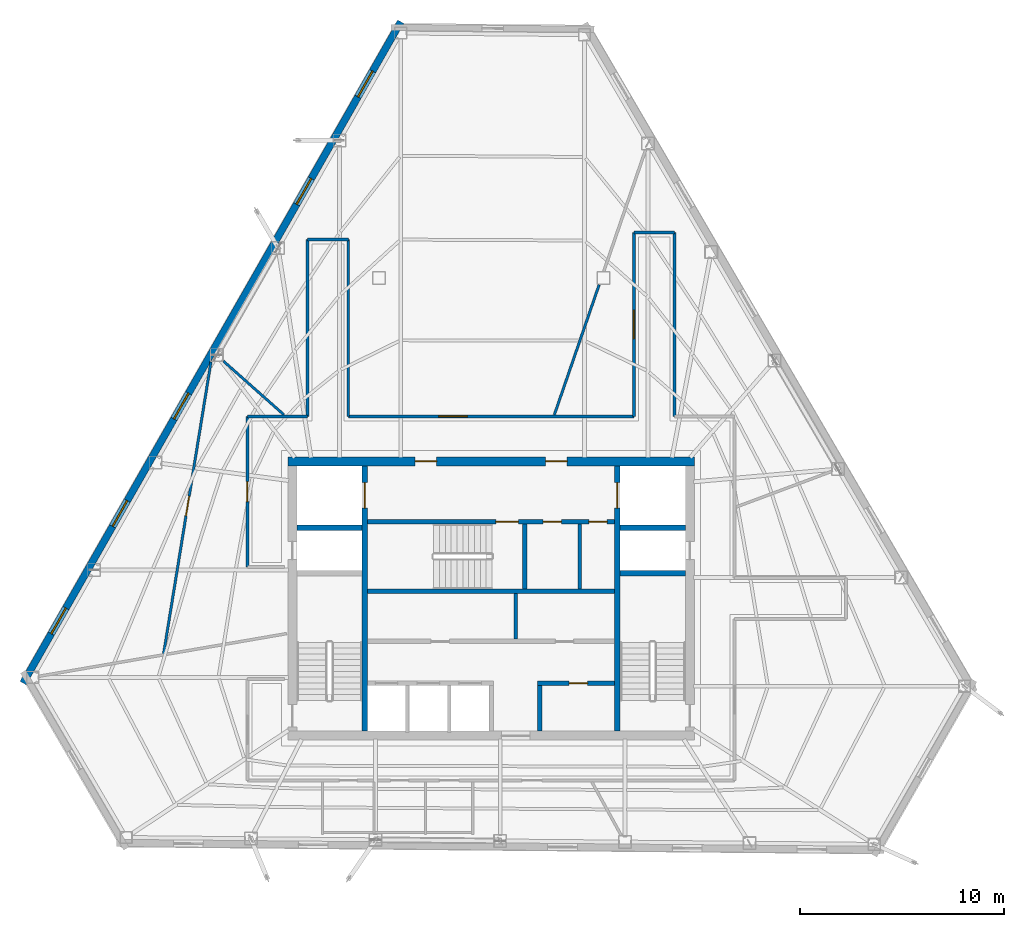
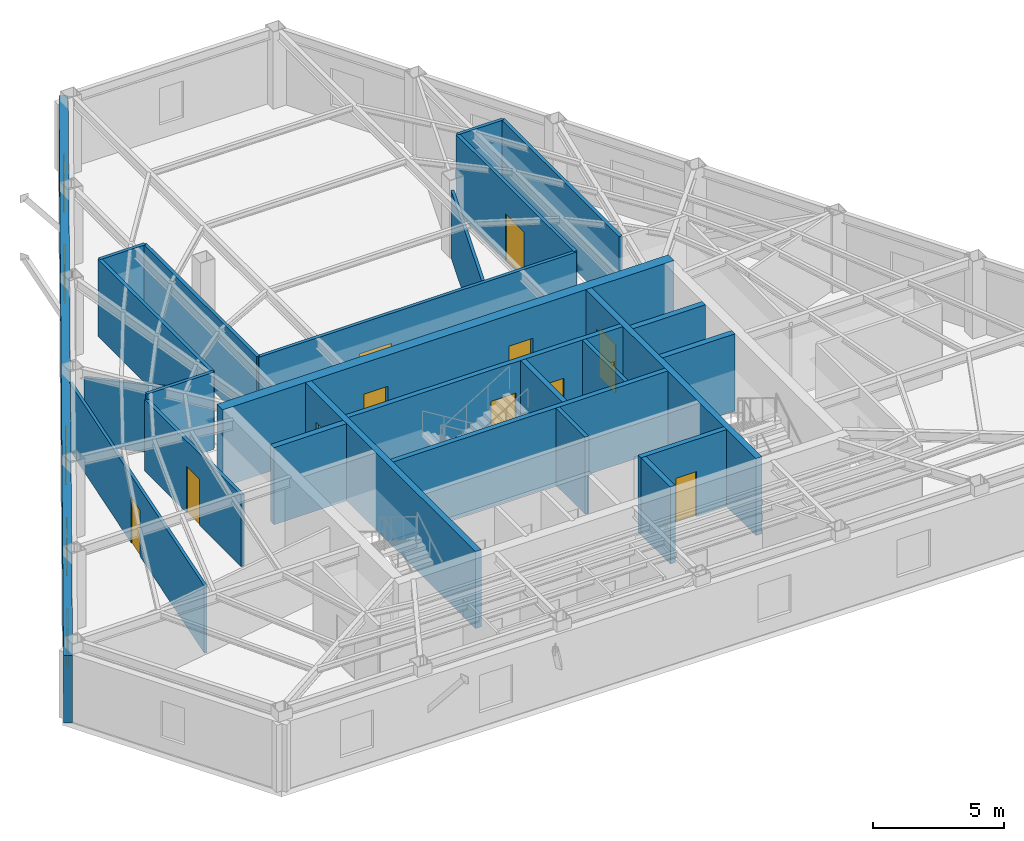
# One storey, part 8 of 10: 26 walls, 12 doors, 5 windows, 17 openings.
"""IFC4 building model written with IfcOpenShell, lengths in metres."""

from ifc_helpers import new_model, si_unit, direction, frame, frame_2d, origin, place, context, subcontext, project, spatial, rectangle, extrude, material, layer, layer_set, type_object, element, fill, save


model = new_model("IFC4")

# Units and contexts
model_context = context("Model", 3, precision=1e-05, world=origin(), true_north=direction((0.0, 1.0)))
body_context = subcontext(model_context, "Body", "Model", "MODEL_VIEW")
ifc_project = project(units=[si_unit("LENGTHUNIT", "METRE"), si_unit("AREAUNIT", "SQUARE_METRE"), si_unit("VOLUMEUNIT", "CUBIC_METRE"), si_unit("PLANEANGLEUNIT", "RADIAN"), si_unit("MASSUNIT", "GRAM", prefix="KILO")], contexts=[model_context])

# Site, building, storey
site_placement = place(None, origin())
site = spatial("IfcSite", under=ifc_project, at=site_placement, CompositionType="ELEMENT")
building_placement = place(site_placement, origin())
building = spatial("IfcBuilding", under=site, at=building_placement, Name="Kavelnor Concourse Tower", CompositionType="ELEMENT")
storey_placement = place(building_placement, frame((0.0, 0.0, 188.10009765625)))
storey = spatial("IfcBuildingStorey", under=building, at=storey_placement, Name="L47", CompositionType="ELEMENT", Elevation=188.10009765625)

# Wall, openings, doors
ifc_material_1 = material(Name="Concrete C50/60", Category="concrete")
ifc_layer_1 = layer(ifc_material_1, 0.43994140625, Name="Concrete C50/60")
ifc_layer_set_1 = layer_set([ifc_layer_1], Name="Concrete C50/60")
wall_type_1 = type_object("IfcWallType", Name="WL-CORE-Z3-440", PredefinedType="SOLIDWALL", material=ifc_layer_set_1)
wall_1_placement = place(storey_placement, frame((28.0400390625, 22.820068359375, 0.0), z_axis=(0.0, 0.0, 1.0), x_axis=(1.0, 0.0, 0.0)))
wall_1 = element("IfcWall", 1, at=wall_1_placement, inside=storey, type_object=wall_type_1, Name="L47 Central Core North Shear Wall", PredefinedType="SOLIDWALL", context=body_context, shape_type="SweptSolid", body=[
    extrude(rectangle(XDim=19.919921875, YDim=0.43994140625, at=frame_2d((9.9599609375, 0.0))), origin(), (0.0, 0.0, 1.0), 3.599853515625),
])
opening_1_placement = place(wall_1_placement, frame((6.235107421875, 0.0, 0.0)))
opening_1 = element("IfcOpeningElement", 2, at=opening_1_placement, cuts=wall_1, Name="Opening FD-105", PredefinedType="OPENING", context=body_context, shape_type="SweptSolid", body=[
    extrude(rectangle(XDim=1.050048828125, YDim=2.14990234375, at=frame_2d((0.52490234375, 1.074951171875))), frame((0.0, 0.22998046875, 0.0), z_axis=(0.0, -1.0, 0.0), x_axis=(1.0, 0.0, 0.0)), (0.0, 0.0, 1.0), 0.4599609375),
])
opening_2_placement = place(wall_1_placement, frame((12.635009765625, 0.0, 0.0)))
opening_2 = element("IfcOpeningElement", 3, at=opening_2_placement, cuts=wall_1, Name="Opening FD-105", PredefinedType="OPENING", context=body_context, shape_type="SweptSolid", body=[
    extrude(rectangle(XDim=1.050048828125, YDim=2.14990234375, at=frame_2d((0.52490234375, 1.074951171875))), frame((0.0, 0.22998046875, 0.0), z_axis=(0.0, -1.0, 0.0), x_axis=(1.0, 0.0, 0.0)), (0.0, 0.0, 1.0), 0.4599609375),
])
ifc_material_2 = material(Name="Steel Grade 350", Category="steel")
door_type_1 = type_object("IfcDoorType", Name="DR-LOBBY-FIRE-1050", OperationType="NOTDEFINED", PredefinedType="DOOR", material=ifc_material_2)
door_1_placement = place(opening_1_placement, origin())
door_1 = element("IfcDoor", 4, at=door_1_placement, inside=storey, type_object=door_type_1, Name="L47 Emergency Lift Lobby West Door", OperationType="SINGLE_SWING_LEFT", OverallHeight=2.14990234375, OverallWidth=1.050048828125, PredefinedType="DOOR", context=body_context, shape_type="SweptSolid", body=[
    extrude(rectangle(XDim=1.050048828125, YDim=2.14990234375, at=frame_2d((0.52490234375, 1.074951171875))), frame((0.0, 0.02490234375, 0.0), z_axis=(0.0, -1.0, 0.0), x_axis=(1.0, 0.0, 0.0)), (0.0, 0.0, 1.0), 0.050048828125),
])
fill(opening_1, door_1)
door_2_placement = place(opening_2_placement, origin())
door_2 = element("IfcDoor", 5, at=door_2_placement, inside=storey, type_object=door_type_1, Name="L47 Emergency Lift Lobby East Door", OperationType="SINGLE_SWING_RIGHT", OverallHeight=2.14990234375, OverallWidth=1.050048828125, PredefinedType="DOOR", context=body_context, shape_type="SweptSolid", body=[
    extrude(rectangle(XDim=1.050048828125, YDim=2.14990234375, at=frame_2d((0.52490234375, 1.074951171875))), frame((0.0, 0.02490234375, 0.0), z_axis=(0.0, -1.0, 0.0), x_axis=(1.0, 0.0, 0.0)), (0.0, 0.0, 1.0), 0.050048828125),
])
fill(opening_2, door_2)

# Wall, openings, windows
ifc_material_3 = material(Name="Red-ochre clay face brick masonry", Category="masonry")
ifc_layer_2 = layer(ifc_material_3, 0.35009765625, Name="Red-ochre clay face brick masonry")
ifc_layer_set_2 = layer_set([ifc_layer_2], Name="Red-ochre clay face brick masonry")
wall_type_2 = type_object("IfcWallType", Name="WL-EXT-RED-BRICK-PIER-350", PredefinedType="STANDARD", material=ifc_layer_set_2)
wall_2_placement = place(storey_placement, frame((15.064208984375, 11.95263671875, 0.0), z_axis=(0.0, 0.0, 1.0), x_axis=(0.495993114815, 0.86832645362, 0.0)))
wall_2 = element("IfcWall", 6, at=wall_2_placement, inside=storey, type_object=wall_type_2, Name="L47 Exterior Brick Facade Wall E1", PredefinedType="STANDARD", context=body_context, shape_type="SweptSolid", body=[
    extrude(rectangle(XDim=37.323974609375, YDim=0.35009765625, at=frame_2d((18.662109375, 0.0))), origin(), (0.0, 0.0, 1.0), 3.1318359375),
])
opening_3_placement = place(wall_2_placement, frame((33.0869140625, 0.0, 0.64990234375)))
opening_3 = element("IfcOpeningElement", 7, at=opening_3_placement, cuts=wall_2, Name="Opening W-03", PredefinedType="OPENING", context=body_context, shape_type="SweptSolid", body=[
    extrude(rectangle(XDim=1.449951171875, YDim=1.75, at=frame_2d((0.72509765625, 0.875))), frame((0.0, 0.18505859375, 0.0), z_axis=(0.0, -1.0, 0.0), x_axis=(1.0, 0.0, 0.0)), (0.0, 0.0, 1.0), 0.3701171875),
])
opening_4_placement = place(wall_2_placement, frame((27.026123046875, 0.0, 0.64990234375)))
opening_4 = element("IfcOpeningElement", 8, at=opening_4_placement, cuts=wall_2, Name="Opening W-03", PredefinedType="OPENING", context=body_context, shape_type="SweptSolid", body=[
    extrude(rectangle(XDim=1.449951171875, YDim=1.75, at=frame_2d((0.72509765625, 0.875))), frame((0.0, 0.18505859375, 0.0), z_axis=(0.0, -1.0, 0.0), x_axis=(1.0, 0.0, 0.0)), (0.0, 0.0, 1.0), 0.3701171875),
])
opening_5_placement = place(wall_2_placement, frame((14.904296875, 0.0, 0.64990234375)))
opening_5 = element("IfcOpeningElement", 9, at=opening_5_placement, cuts=wall_2, Name="Opening W-03", PredefinedType="OPENING", context=body_context, shape_type="SweptSolid", body=[
    extrude(rectangle(XDim=1.449951171875, YDim=1.75, at=frame_2d((0.72509765625, 0.875))), frame((0.0, 0.18505859375, 0.0), z_axis=(0.0, -1.0, 0.0), x_axis=(1.0, 0.0, 0.0)), (0.0, 0.0, 1.0), 0.3701171875),
])
opening_6_placement = place(wall_2_placement, frame((8.843505859375, 0.0, 0.64990234375)))
opening_6 = element("IfcOpeningElement", 10, at=opening_6_placement, cuts=wall_2, Name="Opening W-03", PredefinedType="OPENING", context=body_context, shape_type="SweptSolid", body=[
    extrude(rectangle(XDim=1.449951171875, YDim=1.75, at=frame_2d((0.72509765625, 0.875))), frame((0.0, 0.18505859375, 0.0), z_axis=(0.0, -1.0, 0.0), x_axis=(1.0, 0.0, 0.0)), (0.0, 0.0, 1.0), 0.3701171875),
])
opening_7_placement = place(wall_2_placement, frame((2.782470703125, 0.0, 0.64990234375)))
opening_7 = element("IfcOpeningElement", 11, at=opening_7_placement, cuts=wall_2, Name="Opening W-03", PredefinedType="OPENING", context=body_context, shape_type="SweptSolid", body=[
    extrude(rectangle(XDim=1.449951171875, YDim=1.75, at=frame_2d((0.72509765625, 0.875))), frame((0.0, 0.18505859375, 0.0), z_axis=(0.0, -1.0, 0.0), x_axis=(1.0, 0.0, 0.0)), (0.0, 0.0, 1.0), 0.3701171875),
])
ifc_material_4 = material(Name="Double low-E argon insulated glazing", Category="glass")
window_type = type_object("IfcWindowType", Name="WIN-PIER-Z3-1500", PartitioningType="SINGLE_PANEL", PredefinedType="WINDOW", material=ifc_material_4)
window_1_placement = place(opening_3_placement, origin())
window_1 = element("IfcWindow", 12, at=window_1_placement, inside=storey, type_object=window_type, Name="L47 Deep-Set Brick Pier Window F0-B0", OverallHeight=1.75, OverallWidth=1.449951171875, PartitioningType="SINGLE_PANEL", PredefinedType="WINDOW", context=body_context, shape_type="SweptSolid", body=[
    extrude(rectangle(XDim=1.449951171875, YDim=1.75, at=frame_2d((0.72509765625, 0.875))), frame((0.0, 0.030029296875, 0.0), z_axis=(0.0, -1.0, 0.0), x_axis=(1.0, 0.0, 0.0)), (0.0, 0.0, 1.0), 0.06005859375),
])
fill(opening_3, window_1)
window_2_placement = place(opening_4_placement, origin())
window_2 = element("IfcWindow", 13, at=window_2_placement, inside=storey, type_object=window_type, Name="L47 Deep-Set Brick Pier Window F0-B1", OverallHeight=1.75, OverallWidth=1.449951171875, PartitioningType="SINGLE_PANEL", PredefinedType="WINDOW", context=body_context, shape_type="SweptSolid", body=[
    extrude(rectangle(XDim=1.449951171875, YDim=1.75, at=frame_2d((0.72509765625, 0.875))), frame((0.0, 0.030029296875, 0.0), z_axis=(0.0, -1.0, 0.0), x_axis=(1.0, 0.0, 0.0)), (0.0, 0.0, 1.0), 0.06005859375),
])
fill(opening_4, window_2)
window_3_placement = place(opening_5_placement, origin())
window_3 = element("IfcWindow", 14, at=window_3_placement, inside=storey, type_object=window_type, Name="L47 Deep-Set Brick Pier Window F0-B3", OverallHeight=1.75, OverallWidth=1.449951171875, PartitioningType="SINGLE_PANEL", PredefinedType="WINDOW", context=body_context, shape_type="SweptSolid", body=[
    extrude(rectangle(XDim=1.449951171875, YDim=1.75, at=frame_2d((0.72509765625, 0.875))), frame((0.0, 0.030029296875, 0.0), z_axis=(0.0, -1.0, 0.0), x_axis=(1.0, 0.0, 0.0)), (0.0, 0.0, 1.0), 0.06005859375),
])
fill(opening_5, window_3)
window_4_placement = place(opening_6_placement, origin())
window_4 = element("IfcWindow", 15, at=window_4_placement, inside=storey, type_object=window_type, Name="L47 Deep-Set Brick Pier Window F0-B4", OverallHeight=1.75, OverallWidth=1.449951171875, PartitioningType="SINGLE_PANEL", PredefinedType="WINDOW", context=body_context, shape_type="SweptSolid", body=[
    extrude(rectangle(XDim=1.449951171875, YDim=1.75, at=frame_2d((0.72509765625, 0.875))), frame((0.0, 0.030029296875, 0.0), z_axis=(0.0, -1.0, 0.0), x_axis=(1.0, 0.0, 0.0)), (0.0, 0.0, 1.0), 0.06005859375),
])
fill(opening_6, window_4)
window_5_placement = place(opening_7_placement, origin())
window_5 = element("IfcWindow", 16, at=window_5_placement, inside=storey, type_object=window_type, Name="L47 Deep-Set Brick Pier Window F0-B5", OverallHeight=1.75, OverallWidth=1.449951171875, PartitioningType="SINGLE_PANEL", PredefinedType="WINDOW", context=body_context, shape_type="SweptSolid", body=[
    extrude(rectangle(XDim=1.449951171875, YDim=1.75, at=frame_2d((0.72509765625, 0.875))), frame((0.0, 0.030029296875, 0.0), z_axis=(0.0, -1.0, 0.0), x_axis=(1.0, 0.0, 0.0)), (0.0, 0.0, 1.0), 0.06005859375),
])
fill(opening_7, window_5)

# Wall, opening, door
ifc_material_5 = material(Name="Gypsum plasterboard on light-gauge steel studs", Category="steel")
ifc_layer_3 = layer(ifc_material_5, 0.14501953125, Name="Gypsum plasterboard on light-gauge steel studs")
ifc_layer_set_3 = layer_set([ifc_layer_3], Name="Gypsum plasterboard on light-gauge steel studs")
wall_type_3 = type_object("IfcWallType", Name="WL-INT-CORR-145", PredefinedType="PARTITIONING", material=ifc_layer_set_3)
wall_3_placement = place(storey_placement, frame((26.06005859375, 17.64990234375, 0.0), z_axis=(0.0, 0.0, 1.0), x_axis=(0.0, 1.0, 0.0)))
wall_3 = element("IfcWall", 17, at=wall_3_placement, inside=storey, type_object=wall_type_3, Name="L47 Corridor Wall WL-L47-CR-02", PredefinedType="PARTITIONING", context=body_context, shape_type="SweptSolid", body=[
    extrude(rectangle(XDim=7.3701171875, YDim=0.14501953125, at=frame_2d((3.68505859375, 0.0))), origin(), (0.0, 0.0, 1.0), 3.3388671875),
])
opening_8_placement = place(wall_3_placement, frame((3.195068359375, 0.0, 0.0)))
opening_8 = element("IfcOpeningElement", 18, at=opening_8_placement, cuts=wall_3, Name="Opening OD-098", PredefinedType="OPENING", context=body_context, shape_type="SweptSolid", body=[
    extrude(rectangle(XDim=0.97998046875, YDim=2.14990234375, at=frame_2d((0.489990234375, 1.074951171875))), frame((0.0, 0.08251953125, 0.0), z_axis=(0.0, -1.0, 0.0), x_axis=(1.0, 0.0, 0.0)), (0.0, 0.0, 1.0), 0.1650390625),
])
ifc_material_6 = material(Name="Solid-core hardwood timber", Category="wood")
door_type_2 = type_object("IfcDoorType", Name="DR-OFFICE-980", OperationType="NOTDEFINED", PredefinedType="DOOR", material=ifc_material_6)
door_3_placement = place(opening_8_placement, origin())
door_3 = element("IfcDoor", 19, at=door_3_placement, inside=storey, type_object=door_type_2, Name="L47 Executive Dining Room 03 Door", OperationType="SINGLE_SWING_LEFT", OverallHeight=2.14990234375, OverallWidth=0.97998046875, PredefinedType="DOOR", context=body_context, shape_type="SweptSolid", body=[
    extrude(rectangle(XDim=0.97998046875, YDim=2.14990234375, at=frame_2d((0.489990234375, 1.074951171875))), frame((0.0, 0.02490234375, 0.0), z_axis=(0.0, -1.0, 0.0), x_axis=(1.0, 0.0, 0.0)), (0.0, 0.0, 1.0), 0.050048828125),
])
fill(opening_8, door_3)

# Walls
wall_4_placement = place(storey_placement, frame((26.06005859375, 25.02001953125, 0.0), z_axis=(0.0, 0.0, 1.0), x_axis=(1.0, 0.0, 0.0)))
element("IfcWall", 20, at=wall_4_placement, inside=storey, type_object=wall_type_3, Name="L47 Corridor Wall WL-L47-CR-03", PredefinedType="PARTITIONING", context=body_context, shape_type="SweptSolid", body=[
    extrude(rectangle(XDim=2.93994140625, YDim=0.14501953125, at=frame_2d((1.469970703125, 0.0))), origin(), (0.0, 0.0, 1.0), 3.599853515625),
])
wall_5_placement = place(storey_placement, frame((29.0, 25.02001953125, 0.0), z_axis=(0.0, 0.0, 1.0), x_axis=(0.0, 1.0, 0.0)))
element("IfcWall", 21, at=wall_5_placement, inside=storey, type_object=wall_type_3, Name="L47 Corridor Wall WL-L47-CR-04", PredefinedType="PARTITIONING", context=body_context, shape_type="SweptSolid", body=[
    extrude(rectangle(XDim=8.661865234375, YDim=0.14501953125, at=frame_2d((4.3310546875, 0.0))), origin(), (0.0, 0.0, 1.0), 3.599853515625),
])
wall_6_placement = place(storey_placement, frame((29.0, 33.681884765625, 0.0), z_axis=(0.0, 0.0, 1.0), x_axis=(1.0, 0.0, 0.0)))
element("IfcWall", 22, at=wall_6_placement, inside=storey, type_object=wall_type_3, Name="L47 Corridor Wall WL-L47-CR-05", PredefinedType="PARTITIONING", context=body_context, shape_type="SweptSolid", body=[
    extrude(rectangle(XDim=2.0, YDim=0.14501953125, at=frame_2d((1.0, 0.0))), origin(), (0.0, 0.0, 1.0), 3.599853515625),
])
wall_7_placement = place(storey_placement, frame((31.0, 33.681884765625, 0.0), z_axis=(0.0, 0.0, 1.0), x_axis=(0.0, -1.0, 0.0)))
element("IfcWall", 23, at=wall_7_placement, inside=storey, type_object=wall_type_3, Name="L47 Corridor Wall WL-L47-CR-06", PredefinedType="PARTITIONING", context=body_context, shape_type="SweptSolid", body=[
    extrude(rectangle(XDim=8.661865234375, YDim=0.14501953125, at=frame_2d((4.3310546875, 0.0))), origin(), (0.0, 0.0, 1.0), 3.599853515625),
])

# Wall, opening, door
wall_8_placement = place(storey_placement, frame((31.0, 25.02001953125, 0.0), z_axis=(0.0, 0.0, 1.0), x_axis=(1.0, 0.0, 0.0)))
wall_8 = element("IfcWall", 24, at=wall_8_placement, inside=storey, type_object=wall_type_3, Name="L47 Corridor Wall WL-L47-CR-07", PredefinedType="PARTITIONING", context=body_context, shape_type="SweptSolid", body=[
    extrude(rectangle(XDim=14.0, YDim=0.14501953125, at=frame_2d((7.0, 0.0))), origin(), (0.0, 0.0, 1.0), 3.599853515625),
])
opening_9_placement = place(wall_8_placement, frame((4.434326171875, 0.0, 0.0)))
opening_9 = element("IfcOpeningElement", 25, at=opening_9_placement, cuts=wall_8, Name="Opening SD-140", PredefinedType="OPENING", context=body_context, shape_type="SweptSolid", body=[
    extrude(rectangle(XDim=1.39990234375, YDim=2.199951171875, at=frame_2d((0.699951171875, 1.10009765625))), frame((0.0, 0.08251953125, 0.0), z_axis=(0.0, -1.0, 0.0), x_axis=(1.0, 0.0, 0.0)), (0.0, 0.0, 1.0), 0.1650390625),
])
door_type_3 = type_object("IfcDoorType", Name="DR-SUITE-ENTRY-1400", OperationType="NOTDEFINED", PredefinedType="DOOR", material=ifc_material_6)
door_4_placement = place(opening_9_placement, origin())
door_4 = element("IfcDoor", 26, at=door_4_placement, inside=storey, type_object=door_type_3, Name="L47 Workplace Open Office 02 Door", OperationType="SINGLE_SWING_RIGHT", OverallHeight=2.199951171875, OverallWidth=1.39990234375, PredefinedType="DOOR", context=body_context, shape_type="SweptSolid", body=[
    extrude(rectangle(XDim=1.39990234375, YDim=2.199951171875, at=frame_2d((0.699951171875, 1.10009765625))), frame((0.0, 0.02490234375, 0.0), z_axis=(0.0, -1.0, 0.0), x_axis=(1.0, 0.0, 0.0)), (0.0, 0.0, 1.0), 0.050048828125),
])
fill(opening_9, door_4)

wall_9_placement = place(storey_placement, frame((45.0, 25.02001953125, 0.0), z_axis=(0.0, 0.0, 1.0), x_axis=(0.0, 1.0, 0.0)))
wall_9 = element("IfcWall", 27, at=wall_9_placement, inside=storey, type_object=wall_type_3, Name="L47 Corridor Wall WL-L47-CR-08", PredefinedType="PARTITIONING", context=body_context, shape_type="SweptSolid", body=[
    extrude(rectangle(XDim=9.0224609375, YDim=0.14501953125, at=frame_2d((4.51123046875, 0.0))), origin(), (0.0, 0.0, 1.0), 3.599853515625),
])
opening_10_placement = place(wall_9_placement, frame((3.811279296875, 0.0, 0.0)))
opening_10 = element("IfcOpeningElement", 28, at=opening_10_placement, cuts=wall_9, Name="Opening SD-140", PredefinedType="OPENING", context=body_context, shape_type="SweptSolid", body=[
    extrude(rectangle(XDim=1.39990234375, YDim=2.199951171875, at=frame_2d((0.699951171875, 1.10009765625))), frame((0.0, 0.08251953125, 0.0), z_axis=(0.0, -1.0, 0.0), x_axis=(1.0, 0.0, 0.0)), (0.0, 0.0, 1.0), 0.1650390625),
])
door_5_placement = place(opening_10_placement, origin())
door_5 = element("IfcDoor", 29, at=door_5_placement, inside=storey, type_object=door_type_3, Name="L47 Technical Reference Library 01 Door", OperationType="SINGLE_SWING_LEFT", OverallHeight=2.199951171875, OverallWidth=1.39990234375, PredefinedType="DOOR", context=body_context, shape_type="SweptSolid", body=[
    extrude(rectangle(XDim=1.39990234375, YDim=2.199951171875, at=frame_2d((0.699951171875, 1.10009765625))), frame((0.0, 0.02490234375, 0.0), z_axis=(0.0, -1.0, 0.0), x_axis=(1.0, 0.0, 0.0)), (0.0, 0.0, 1.0), 0.050048828125),
])
fill(opening_10, door_5)

# Walls
wall_10_placement = place(storey_placement, frame((45.0, 34.04248046875, 0.0), z_axis=(0.0, 0.0, 1.0), x_axis=(1.0, 0.0, 0.0)))
element("IfcWall", 30, at=wall_10_placement, inside=storey, type_object=wall_type_3, Name="L47 Corridor Wall WL-L47-CR-09", PredefinedType="PARTITIONING", context=body_context, shape_type="SweptSolid", body=[
    extrude(rectangle(XDim=2.0, YDim=0.14501953125, at=frame_2d((1.0, 0.0))), origin(), (0.0, 0.0, 1.0), 3.599853515625),
])
wall_11_placement = place(storey_placement, frame((47.0, 34.04248046875, 0.0), z_axis=(0.0, 0.0, 1.0), x_axis=(0.0, -1.0, 0.0)))
element("IfcWall", 31, at=wall_11_placement, inside=storey, type_object=wall_type_3, Name="L47 Corridor Wall WL-L47-CR-10", PredefinedType="PARTITIONING", context=body_context, shape_type="SweptSolid", body=[
    extrude(rectangle(XDim=9.0224609375, YDim=0.14501953125, at=frame_2d((4.51123046875, 0.0))), origin(), (0.0, 0.0, 1.0), 3.599853515625),
])
ifc_layer_4 = layer(ifc_material_5, 0.1650390625, Name="Gypsum plasterboard on light-gauge steel studs")
ifc_layer_set_4 = layer_set([ifc_layer_4], Name="Gypsum plasterboard on light-gauge steel studs")
wall_type_4 = type_object("IfcWallType", Name="WL-INT-FIRE-165", PredefinedType="PARTITIONING", material=ifc_layer_set_4)
wall_12_placement = place(storey_placement, frame((39.199951171875, 14.10009765625, 0.0), z_axis=(0.0, 0.0, 1.0), x_axis=(0.0, 1.0, 0.0)))
element("IfcWall", 32, at=wall_12_placement, inside=storey, type_object=wall_type_4, Name="L47 Reclaimed Core Partition C", PredefinedType="PARTITIONING", context=body_context, shape_type="SweptSolid", body=[
    extrude(rectangle(XDim=2.239990234375, YDim=0.1650390625, at=frame_2d((1.1201171875, 0.0))), origin(), (0.0, 0.0, 1.0), 3.599853515625),
])
wall_13_placement = place(storey_placement, frame((42.35009765625, 16.56005859375, 0.0), z_axis=(0.0, 0.0, 1.0), x_axis=(0.0, 1.0, 0.0)))
element("IfcWall", 33, at=wall_13_placement, inside=storey, type_object=wall_type_4, Name="L47 Core Support Asymmetric Divider", PredefinedType="PARTITIONING", context=body_context, shape_type="SweptSolid", body=[
    extrude(rectangle(XDim=3.199951171875, YDim=0.1650390625, at=frame_2d((1.60009765625, 0.0))), origin(), (0.0, 0.0, 1.0), 3.599853515625),
])
ifc_layer_5 = layer(ifc_material_5, 0.125, Name="Gypsum plasterboard on light-gauge steel studs")
ifc_layer_set_5 = layer_set([ifc_layer_5], Name="Gypsum plasterboard on light-gauge steel studs")
wall_type_5 = type_object("IfcWallType", Name="WL-INT-SUITE-125", PredefinedType="PARTITIONING", material=ifc_layer_set_5)
wall_14_placement = place(storey_placement, frame((41.1005859375, 25.1005859375, 0.0), z_axis=(0.0, 0.0, 1.0), x_axis=(0.325732757855, 0.945461882077, 0.0)))
element("IfcWall", 34, at=wall_14_placement, inside=storey, type_object=wall_type_5, Name="L47 Radial Suite Partition 02", PredefinedType="PARTITIONING", context=body_context, shape_type="SweptSolid", body=[
    extrude(rectangle(XDim=6.73876953125, YDim=0.125, at=frame_2d((3.369384765625, 0.0))), origin(), (0.0, 0.0, 1.0), 3.140869140625),
])
wall_15_placement = place(storey_placement, frame((27.848388671875, 25.1005859375, 0.0), z_axis=(0.0, 0.0, 1.0), x_axis=(-0.748288582972, 0.66337334631, 0.0)))
element("IfcWall", 35, at=wall_15_placement, inside=storey, type_object=wall_type_5, Name="L47 Radial Suite Partition 03", PredefinedType="PARTITIONING", context=body_context, shape_type="SweptSolid", body=[
    extrude(rectangle(XDim=3.96484375, YDim=0.125, at=frame_2d((1.982421875, 0.0))), origin(), (0.0, 0.0, 1.0), 3.140869140625),
])

# Wall, opening, door
wall_16_placement = place(storey_placement, frame((24.272705078125, 27.693603515625, 0.0), z_axis=(0.0, 0.0, 1.0), x_axis=(-0.160245052552, -0.987077263, 0.0)))
wall_16 = element("IfcWall", 36, at=wall_16_placement, inside=storey, type_object=wall_type_5, Name="L47 Suite Subdivision Partition 03", PredefinedType="PARTITIONING", context=body_context, shape_type="SweptSolid", body=[
    extrude(rectangle(XDim=14.530029296875, YDim=0.125, at=frame_2d((7.26513671875, 0.0))), origin(), (0.0, 0.0, 1.0), 3.135009765625),
])
opening_11_placement = place(wall_16_placement, frame((6.665283203125, 0.0, 0.0)))
opening_11 = element("IfcOpeningElement", 37, at=opening_11_placement, cuts=wall_16, Name="Opening OD-098", PredefinedType="OPENING", context=body_context, shape_type="SweptSolid", body=[
    extrude(rectangle(XDim=0.97998046875, YDim=2.14990234375, at=frame_2d((0.489990234375, 1.074951171875))), frame((0.0, 0.072509765625, 0.0), z_axis=(0.0, -1.0, 0.0), x_axis=(1.0, 0.0, 0.0)), (0.0, 0.0, 1.0), 0.14501953125),
])
door_6_placement = place(opening_11_placement, origin())
door_6 = element("IfcDoor", 38, at=door_6_placement, inside=storey, type_object=door_type_2, Name="L47 Technical Reference Library 04 Door", OperationType="SINGLE_SWING_RIGHT", OverallHeight=2.14990234375, OverallWidth=0.97998046875, PredefinedType="DOOR", context=body_context, shape_type="SweptSolid", body=[
    extrude(rectangle(XDim=0.97998046875, YDim=2.14990234375, at=frame_2d((0.489990234375, 1.074951171875))), frame((0.0, 0.02490234375, 0.0), z_axis=(0.0, -1.0, 0.0), x_axis=(1.0, 0.0, 0.0)), (0.0, 0.0, 1.0), 0.050048828125),
])
fill(opening_11, door_6)

# Wall, openings, doors
ifc_layer_6 = layer(ifc_material_1, 0.219970703125, Name="Concrete C50/60")
ifc_layer_set_6 = layer_set([ifc_layer_6], Name="Concrete C50/60")
wall_type_6 = type_object("IfcWallType", Name="WL-SHAFT-220", PredefinedType="SOLIDWALL", material=ifc_layer_set_6)
wall_17_placement = place(storey_placement, frame((31.93994140625, 19.8701171875, 0.0), z_axis=(0.0, 0.0, 1.0), x_axis=(1.0, 0.0, 0.0)))
wall_17 = element("IfcWall", 39, at=wall_17_placement, inside=storey, type_object=wall_type_6, Name="L47 Emergency Lift Lobby South Wall", PredefinedType="SOLIDWALL", context=body_context, shape_type="SweptSolid", body=[
    extrude(rectangle(XDim=12.1201171875, YDim=0.219970703125, at=frame_2d((6.06005859375, 0.0))), origin(), (0.0, 0.0, 1.0), 3.599853515625),
])
opening_12_placement = place(wall_17_placement, frame((6.300048828125, 0.0, 0.0)))
opening_12 = element("IfcOpeningElement", 40, at=opening_12_placement, cuts=wall_17, Name="Opening FD-110", PredefinedType="OPENING", context=body_context, shape_type="SweptSolid", body=[
    extrude(rectangle(XDim=1.10009765625, YDim=2.14990234375, at=frame_2d((0.550048828125, 1.074951171875))), frame((0.0, 0.1201171875, 0.0), z_axis=(0.0, -1.0, 0.0), x_axis=(1.0, 0.0, 0.0)), (0.0, 0.0, 1.0), 0.239990234375),
])
opening_13_placement = place(wall_17_placement, frame((8.610107421875, 0.0, 0.0)))
opening_13 = element("IfcOpeningElement", 41, at=opening_13_placement, cuts=wall_17, Name="Opening FD-090", PredefinedType="OPENING", context=body_context, shape_type="SweptSolid", body=[
    extrude(rectangle(XDim=0.89990234375, YDim=2.10009765625, at=frame_2d((0.449951171875, 1.050048828125))), frame((0.0, 0.1201171875, 0.0), z_axis=(0.0, -1.0, 0.0), x_axis=(1.0, 0.0, 0.0)), (0.0, 0.0, 1.0), 0.239990234375),
])
opening_14_placement = place(wall_17_placement, frame((10.85009765625, 0.0, 0.0)))
opening_14 = element("IfcOpeningElement", 42, at=opening_14_placement, cuts=wall_17, Name="Opening FD-090", PredefinedType="OPENING", context=body_context, shape_type="SweptSolid", body=[
    extrude(rectangle(XDim=0.89990234375, YDim=2.10009765625, at=frame_2d((0.449951171875, 1.050048828125))), frame((0.0, 0.1201171875, 0.0), z_axis=(0.0, -1.0, 0.0), x_axis=(1.0, 0.0, 0.0)), (0.0, 0.0, 1.0), 0.239990234375),
])
door_type_4 = type_object("IfcDoorType", Name="DR-RISER-FIRE-900", OperationType="NOTDEFINED", PredefinedType="DOOR", material=ifc_material_2)
door_7_placement = place(opening_13_placement, origin())
door_7 = element("IfcDoor", 43, at=door_7_placement, inside=storey, type_object=door_type_4, Name="L47 Electrical Room Door", OperationType="SINGLE_SWING_LEFT", OverallHeight=2.10009765625, OverallWidth=0.89990234375, PredefinedType="DOOR", context=body_context, shape_type="SweptSolid", body=[
    extrude(rectangle(XDim=0.89990234375, YDim=2.10009765625, at=frame_2d((0.449951171875, 1.050048828125))), frame((0.0, 0.02490234375, 0.0), z_axis=(0.0, -1.0, 0.0), x_axis=(1.0, 0.0, 0.0)), (0.0, 0.0, 1.0), 0.050048828125),
])
fill(opening_13, door_7)
door_8_placement = place(opening_14_placement, origin())
door_8 = element("IfcDoor", 44, at=door_8_placement, inside=storey, type_object=door_type_4, Name="L47 Cleaner Store Door", OperationType="SINGLE_SWING_RIGHT", OverallHeight=2.10009765625, OverallWidth=0.89990234375, PredefinedType="DOOR", context=body_context, shape_type="SweptSolid", body=[
    extrude(rectangle(XDim=0.89990234375, YDim=2.10009765625, at=frame_2d((0.449951171875, 1.050048828125))), frame((0.0, 0.02490234375, 0.0), z_axis=(0.0, -1.0, 0.0), x_axis=(1.0, 0.0, 0.0)), (0.0, 0.0, 1.0), 0.050048828125),
])
fill(opening_14, door_8)
door_type_5 = type_object("IfcDoorType", Name="DR-STAIR-FIRE-1100", OperationType="NOTDEFINED", PredefinedType="DOOR", material=ifc_material_2)
door_9_placement = place(opening_12_placement, origin())
door_9 = element("IfcDoor", 45, at=door_9_placement, inside=storey, type_object=door_type_5, Name="L47 Stair ST3 Fire Door", OperationType="SINGLE_SWING_LEFT", OverallHeight=2.14990234375, OverallWidth=1.10009765625, PredefinedType="DOOR", context=body_context, shape_type="SweptSolid", body=[
    extrude(rectangle(XDim=1.10009765625, YDim=2.14990234375, at=frame_2d((0.550048828125, 1.074951171875))), frame((0.0, 0.02490234375, 0.0), z_axis=(0.0, -1.0, 0.0), x_axis=(1.0, 0.0, 0.0)), (0.0, 0.0, 1.0), 0.050048828125),
])
fill(opening_12, door_9)

# Walls
wall_18_placement = place(storey_placement, frame((31.93994140625, 16.449951171875, 0.0), z_axis=(0.0, 0.0, 1.0), x_axis=(1.0, 0.0, 0.0)))
element("IfcWall", 46, at=wall_18_placement, inside=storey, type_object=wall_type_6, Name="L47 Stair ST3 South Core Wall", PredefinedType="SOLIDWALL", context=body_context, shape_type="SweptSolid", body=[
    extrude(rectangle(XDim=12.1201171875, YDim=0.219970703125, at=frame_2d((6.06005859375, 0.0))), origin(), (0.0, 0.0, 1.0), 3.599853515625),
])
wall_19_placement = place(storey_placement, frame((39.64990234375, 16.56005859375, 0.0), z_axis=(0.0, 0.0, 1.0), x_axis=(0.0, 1.0, 0.0)))
element("IfcWall", 47, at=wall_19_placement, inside=storey, type_object=wall_type_6, Name="L47 Stair ST3 East Core Wall", PredefinedType="SOLIDWALL", context=body_context, shape_type="SweptSolid", body=[
    extrude(rectangle(XDim=3.199951171875, YDim=0.219970703125, at=frame_2d((1.60009765625, 0.0))), origin(), (0.0, 0.0, 1.0), 3.599853515625),
])

# Wall, opening, door
wall_20_placement = place(storey_placement, frame((40.280029296875, 11.949951171875, 0.0), z_axis=(0.0, 0.0, 1.0), x_axis=(1.0, 0.0, 0.0)))
wall_20 = element("IfcWall", 48, at=wall_20_placement, inside=storey, type_object=wall_type_6, Name="L47 Core South Support North Wall", PredefinedType="SOLIDWALL", context=body_context, shape_type="SweptSolid", body=[
    extrude(rectangle(XDim=3.780029296875, YDim=0.219970703125, at=frame_2d((1.89013671875, 0.0))), origin(), (0.0, 0.0, 1.0), 3.599853515625),
])
opening_15_placement = place(wall_20_placement, frame((1.550048828125, 0.0, 0.0)))
opening_15 = element("IfcOpeningElement", 49, at=opening_15_placement, cuts=wall_20, Name="Opening FD-090", PredefinedType="OPENING", context=body_context, shape_type="SweptSolid", body=[
    extrude(rectangle(XDim=0.89990234375, YDim=2.10009765625, at=frame_2d((0.449951171875, 1.050048828125))), frame((0.0, 0.1201171875, 0.0), z_axis=(0.0, -1.0, 0.0), x_axis=(1.0, 0.0, 0.0)), (0.0, 0.0, 1.0), 0.239990234375),
])
door_10_placement = place(opening_15_placement, origin())
door_10 = element("IfcDoor", 50, at=door_10_placement, inside=storey, type_object=door_type_4, Name="L47 Core Utility Store Door", OperationType="SINGLE_SWING_LEFT", OverallHeight=2.10009765625, OverallWidth=0.89990234375, PredefinedType="DOOR", context=body_context, shape_type="SweptSolid", body=[
    extrude(rectangle(XDim=0.89990234375, YDim=2.10009765625, at=frame_2d((0.449951171875, 1.050048828125))), frame((0.0, 0.02490234375, 0.0), z_axis=(0.0, -1.0, 0.0), x_axis=(1.0, 0.0, 0.0)), (0.0, 0.0, 1.0), 0.050048828125),
])
fill(opening_15, door_10)

# Wall
wall_21_placement = place(storey_placement, frame((40.389892578125, 9.60009765625, 0.0), z_axis=(0.0, 0.0, 1.0), x_axis=(0.0, 1.0, 0.0)))
element("IfcWall", 51, at=wall_21_placement, inside=storey, type_object=wall_type_6, Name="L47 Lift Lobby Throat East Wall", PredefinedType="SOLIDWALL", context=body_context, shape_type="SweptSolid", body=[
    extrude(rectangle(XDim=2.239990234375, YDim=0.219970703125, at=frame_2d((1.1201171875, 0.0))), origin(), (0.0, 0.0, 1.0), 3.599853515625),
])

# Wall, opening, door
ifc_layer_7 = layer(ifc_material_1, 0.260009765625, Name="Concrete C50/60")
ifc_layer_set_7 = layer_set([ifc_layer_7], Name="Concrete C50/60")
wall_type_7 = type_object("IfcWallType", Name="WL-SHAFT-260", PredefinedType="SHEAR", material=ifc_layer_set_7)
wall_22_placement = place(storey_placement, frame((31.81005859375, 9.60009765625, 0.0), z_axis=(0.0, 0.0, 1.0), x_axis=(0.0, 1.0, 0.0)))
wall_22 = element("IfcWall", 52, at=wall_22_placement, inside=storey, type_object=wall_type_7, Name="L47 Core West Wing Shear Wall", PredefinedType="SHEAR", context=body_context, shape_type="SweptSolid", body=[
    extrude(rectangle(XDim=13.0, YDim=0.260009765625, at=frame_2d((6.5, 0.0))), origin(), (0.0, 0.0, 1.0), 3.599853515625),
])
opening_16_placement = place(wall_22_placement, frame((10.925048828125, 0.0, 0.0)))
opening_16 = element("IfcOpeningElement", 53, at=opening_16_placement, cuts=wall_22, Name="Opening LD-125", PredefinedType="OPENING", context=body_context, shape_type="SweptSolid", body=[
    extrude(rectangle(XDim=1.25, YDim=2.25, at=frame_2d((0.625, 1.125))), frame((0.0, 0.14013671875, 0.0), z_axis=(0.0, -1.0, 0.0), x_axis=(1.0, 0.0, 0.0)), (0.0, 0.0, 1.0), 0.280029296875),
])
door_type_6 = type_object("IfcDoorType", Name="DR-LIFT-SLIDING-1250", OperationType="NOTDEFINED", PredefinedType="DOOR", material=ifc_material_2)
door_11_placement = place(opening_16_placement, origin())
door_11 = element("IfcDoor", 54, at=door_11_placement, inside=storey, type_object=door_type_6, Name="L47 Emergency Lift FL1 Landing Door", OperationType="DOUBLE_DOOR_SLIDING", OverallHeight=2.25, OverallWidth=1.25, PredefinedType="DOOR", context=body_context, shape_type="SweptSolid", body=[
    extrude(rectangle(XDim=1.25, YDim=2.25, at=frame_2d((0.625, 1.125))), frame((0.0, 0.02490234375, 0.0), z_axis=(0.0, -1.0, 0.0), x_axis=(1.0, 0.0, 0.0)), (0.0, 0.0, 1.0), 0.050048828125),
])
fill(opening_16, door_11)

wall_23_placement = place(storey_placement, frame((44.18994140625, 9.60009765625, 0.0), z_axis=(0.0, 0.0, 1.0), x_axis=(0.0, 1.0, 0.0)))
wall_23 = element("IfcWall", 55, at=wall_23_placement, inside=storey, type_object=wall_type_7, Name="L47 Core East Wing Shear Wall", PredefinedType="SHEAR", context=body_context, shape_type="SweptSolid", body=[
    extrude(rectangle(XDim=13.0, YDim=0.260009765625, at=frame_2d((6.5, 0.0))), origin(), (0.0, 0.0, 1.0), 3.599853515625),
])
opening_17_placement = place(wall_23_placement, frame((10.925048828125, 0.0, 0.0)))
opening_17 = element("IfcOpeningElement", 56, at=opening_17_placement, cuts=wall_23, Name="Opening LD-125", PredefinedType="OPENING", context=body_context, shape_type="SweptSolid", body=[
    extrude(rectangle(XDim=1.25, YDim=2.25, at=frame_2d((0.625, 1.125))), frame((0.0, 0.14013671875, 0.0), z_axis=(0.0, -1.0, 0.0), x_axis=(1.0, 0.0, 0.0)), (0.0, 0.0, 1.0), 0.280029296875),
])
door_12_placement = place(opening_17_placement, origin())
door_12 = element("IfcDoor", 57, at=door_12_placement, inside=storey, type_object=door_type_6, Name="L47 Emergency Lift FL2 Landing Door", OperationType="DOUBLE_DOOR_SLIDING", OverallHeight=2.25, OverallWidth=1.25, PredefinedType="DOOR", context=body_context, shape_type="SweptSolid", body=[
    extrude(rectangle(XDim=1.25, YDim=2.25, at=frame_2d((0.625, 1.125))), frame((0.0, 0.02490234375, 0.0), z_axis=(0.0, -1.0, 0.0), x_axis=(1.0, 0.0, 0.0)), (0.0, 0.0, 1.0), 0.050048828125),
])
fill(opening_17, door_12)

# Walls
for number, where, z_axis, x_axis, name in (
    (58, (28.47998046875, 19.570068359375, 0.0), (0.0, 0.0, 1.0), (1.0, 0.0, 0.0), "L47 Emergency Lift FL1 South Shaft Wall"),
    (59, (44.320068359375, 17.330078125, 0.0), (0.0, 0.0, 1.0), (1.0, 0.0, 0.0), "L47 Stair ST2 North Shaft Wall"),
    (60, (44.320068359375, 19.570068359375, 0.0), (0.0, 0.0, 1.0), (1.0, 0.0, 0.0), "L47 Emergency Lift FL2 South Shaft Wall"),
):
    element("IfcWall", number, at=place(storey_placement, frame(where, z_axis=z_axis, x_axis=x_axis)), inside=storey, type_object=wall_type_7, Name=name, PredefinedType="SHEAR", context=body_context, shape_type="SweptSolid", body=[
        extrude(rectangle(XDim=3.199951171875, YDim=0.260009765625, at=frame_2d((1.60009765625, 0.0))), origin(), (0.0, 0.0, 1.0), 3.599853515625),
    ])

save(model, "model.ifc")
